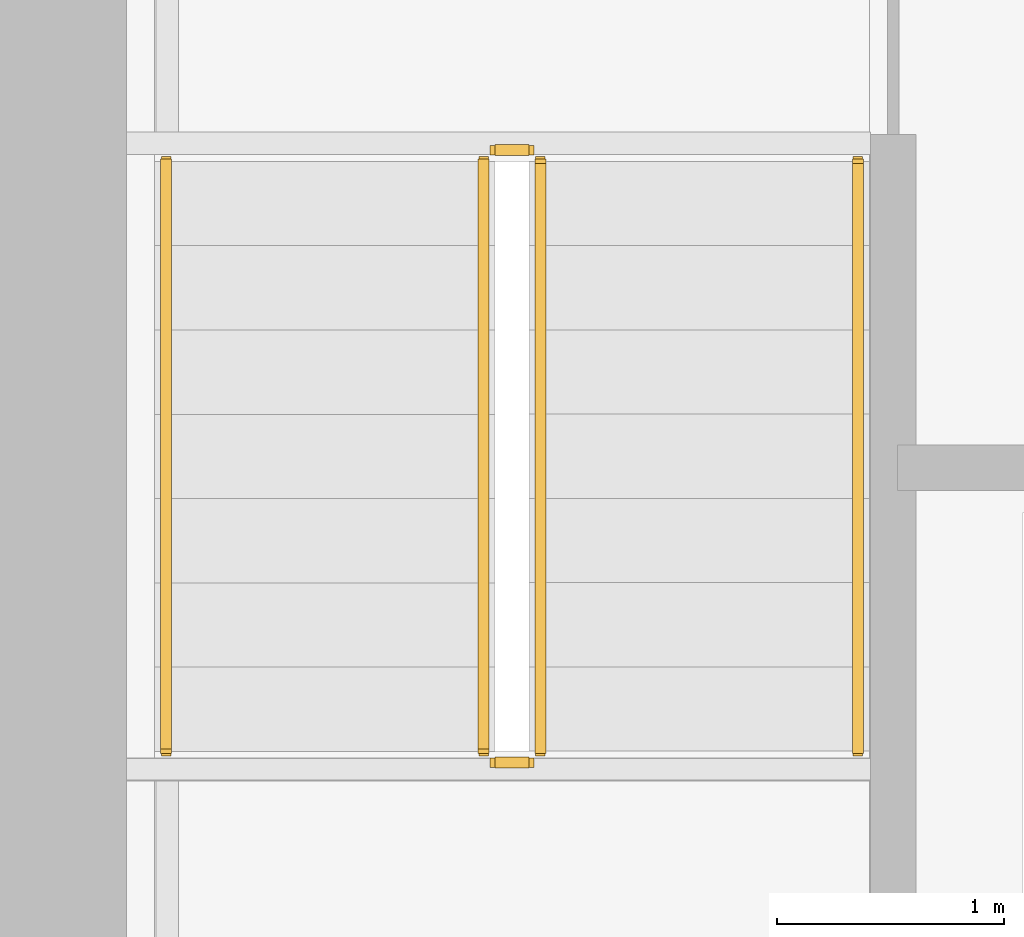
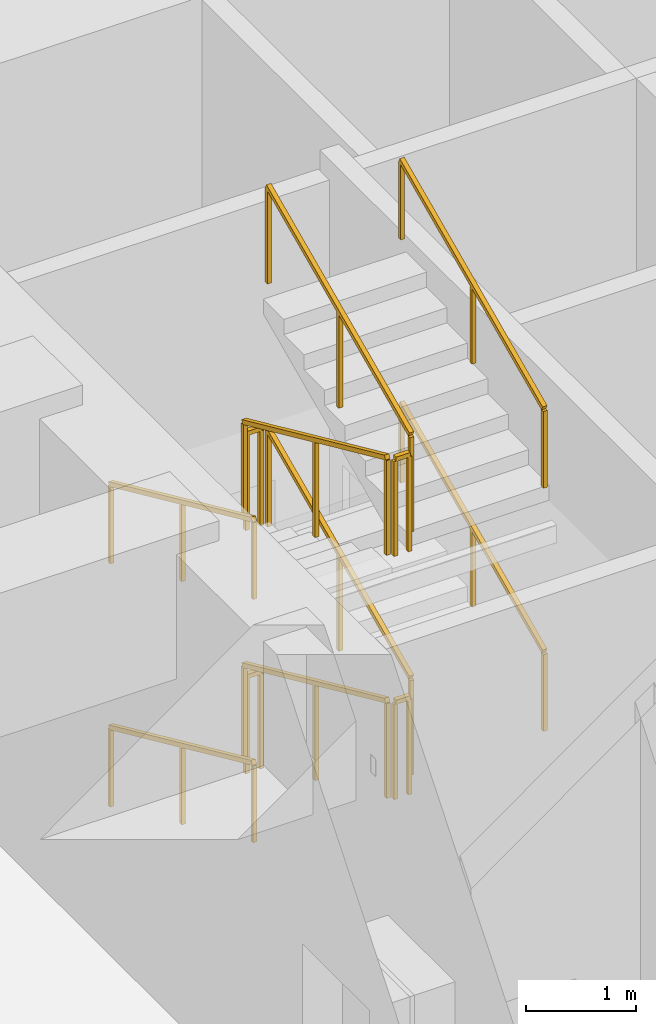
# One storey, part 9 of 12: 12 railings.
"""IFC4 building model written with IfcOpenShell, lengths in metres."""

import ifcopenshell
import ifcopenshell.guid

model = None  # the IFC model being written
_history = None  # IfcOwnerHistory: only IFC2X3 demands one
_inside = {}  # id of a spatial element -> (the spatial element, [elements in it])
_under = {}  # id of a project, library or spatial element -> (it, [spatial elements below it])
_declared = {}  # id of a project -> (the project, [libraries it declares])
_typed = {}  # id of a type object -> (the type object, [elements of that type])
_made_of = {}  # id of a material, layer set ... -> (it, [elements and type objects made of it])


def new_model(schema):
    """Start an empty IFC model of exactly this schema.

    Asked for "IFC4X3", IfcOpenShell would pick the latest addendum, in which some entities
    have other attributes; the version numbers below select the first issue.
    IFC2X3 requires an IfcOwnerHistory on every rooted entity: one is made here for all.
    """
    global model, _history
    if schema == "IFC4X3":
        model = ifcopenshell.file(schema_version=(4, 3, 0, 0))
    else:
        model = ifcopenshell.file(schema=schema)
    _inside.clear()
    _under.clear()
    _declared.clear()
    _typed.clear()
    _made_of.clear()
    _history = None
    if model.schema == "IFC2X3":
        org = make("IfcOrganization", Name="unknown")
        user = make(
            "IfcPersonAndOrganization",
            ThePerson=make("IfcPerson", FamilyName="unknown"),
            TheOrganization=org,
        )
        app = make(
            "IfcApplication",
            ApplicationDeveloper=org,
            Version="unknown",
            ApplicationFullName="unknown",
            ApplicationIdentifier="unknown",
        )
        _history = make(
            "IfcOwnerHistory",
            OwningUser=user,
            OwningApplication=app,
            ChangeAction="ADDED",
            CreationDate=0,
        )
    return model


def make(cls, **values):
    """One entity of the class cls with the attributes given. An attribute that is None is left unset."""
    return model.create_entity(
        cls, **{name: value for name, value in values.items() if value is not None}
    )


def rooted(cls, **values):
    """An entity with a GlobalId (a new one), such as an element, a storey or a relation."""
    return make(cls, GlobalId=ifcopenshell.guid.new(), OwnerHistory=_history, **values)


def si_unit(unit_type, name, prefix=None):
    """IfcSIUnit, for example si_unit("LENGTHUNIT", "METRE", prefix="MILLI")."""
    return make("IfcSIUnit", UnitType=unit_type, Prefix=prefix, Name=name)


def assignment(units):
    """IfcUnitAssignment: the units of a project."""
    return None if units is None else make("IfcUnitAssignment", Units=units)


def point(xyz):
    """IfcCartesianPoint."""
    return None if xyz is None else make("IfcCartesianPoint", Coordinates=xyz)


def direction(xyz):
    """IfcDirection."""
    return None if xyz is None else make("IfcDirection", DirectionRatios=xyz)


def frame(location, z_axis=None, x_axis=None):
    """IfcAxis2Placement3D, a coordinate frame: its origin and axes. An axis left out is left unset."""
    return make(
        "IfcAxis2Placement3D",
        Location=point(location),
        Axis=direction(z_axis),
        RefDirection=direction(x_axis),
    )


def frame_2d(location, x_axis=None):
    """IfcAxis2Placement2D, a coordinate frame in the plane: its origin and x axis."""
    return make(
        "IfcAxis2Placement2D", Location=point(location), RefDirection=direction(x_axis)
    )


def origin():
    """The frame at (0, 0, 0) with its axes left unset."""
    return frame((0.0, 0.0, 0.0))


def origin_2d():
    """The frame at (0, 0) in the plane with its x axis left unset."""
    return frame_2d((0.0, 0.0))


def place(relative_to, where):
    """IfcLocalPlacement: puts the frame where relative to a parent placement (None: the world)."""
    return make(
        "IfcLocalPlacement", PlacementRelTo=relative_to, RelativePlacement=where
    )


def context(
    kind, dimensions, precision=None, world=None, true_north=None, identifier=None
):
    """IfcGeometricRepresentationContext, for example the 3D "Model" context."""
    return make(
        "IfcGeometricRepresentationContext",
        ContextIdentifier=identifier,
        ContextType=kind,
        CoordinateSpaceDimension=dimensions,
        Precision=precision,
        WorldCoordinateSystem=world,
        TrueNorth=true_north,
    )


def subcontext(parent, identifier, kind, view, scale=None):
    """IfcGeometricRepresentationSubContext, for example "Body" below "Model"."""
    return make(
        "IfcGeometricRepresentationSubContext",
        ContextIdentifier=identifier,
        ContextType=kind,
        ParentContext=parent,
        TargetScale=scale,
        TargetView=view,
    )


def project(units=None, contexts=None):
    """IfcProject with its units and contexts."""
    return rooted(
        "IfcProject",
        Name="project",
        RepresentationContexts=contexts,
        UnitsInContext=assignment(units),
    )


def spatial(cls, under=None, at=None, **own):
    """A site, building, storey or space (cls), placed at a placement, below another one or the project."""
    s = rooted(cls, ObjectPlacement=at, **own)
    if under is not None:
        _under.setdefault(under.id(), (under, []))[1].append(s)
    return s


def profile(cls, at=None, kind="AREA", **sizes):
    """A parametric profile (cls). Its sizes go by their IFC names, for example OverallWidth=200.0."""
    return make(cls, ProfileType=kind, Position=at, **sizes)


def rectangle(**sizes):
    """IfcRectangleProfileDef."""
    return profile("IfcRectangleProfileDef", **sizes)


def extrude(swept, where, along, depth):
    """IfcExtrudedAreaSolid: the profile swept, set in the frame where, extruded along a direction by depth."""
    return make(
        "IfcExtrudedAreaSolid",
        SweptArea=swept,
        Position=where,
        ExtrudedDirection=direction(along),
        Depth=depth,
    )


def shape(context_of_items, identifier, shape_type, items):
    """IfcShapeRepresentation: the items that make up one representation, for example the "Body"."""
    return make(
        "IfcShapeRepresentation",
        ContextOfItems=context_of_items,
        RepresentationIdentifier=identifier,
        RepresentationType=shape_type,
        Items=items,
    )


def material(Name=None, Category=None):
    """IfcMaterial."""
    return make("IfcMaterial", Name=Name, Category=Category)


def made_of(thing, what):
    """Note that an element or type object is made of a material, layer set ...; save() writes the relation."""
    if what is not None:
        _made_of.setdefault(what.id(), (what, []))[1].append(thing)
    return thing


def type_object(cls, material=None, **own):
    """A type object (cls), such as IfcWallType, which elements share."""
    return made_of(rooted(cls, **own), material)


def element(
    cls,
    number,
    at=None,
    inside=None,
    cuts=None,
    type_object=None,
    material=None,
    context=None,
    identifier="Body",
    shape_type=None,
    held_by="IfcProductDefinitionShape",
    body=None,
    shapes=None,
    **own,
):
    """One element of the class cls, such as IfcWall. Its Tag is "e" and its number.

    at: its placement. inside: the storey or other place that contains it. cuts: it is an
    opening in that element (IfcRelVoidsElement). A single representation is given by context,
    identifier, shape_type and body (its items); several are given by shapes. held_by: the class
    of the entity that holds the representations. save() writes the other relations.
    """
    e = rooted(cls, Tag="e%d" % number, ObjectPlacement=at, **own)
    if body is not None:
        shapes = [shape(context, identifier, shape_type, body)]
    if shapes is not None:
        e.Representation = make(held_by, Representations=shapes)
    if inside is not None:
        _inside.setdefault(inside.id(), (inside, []))[1].append(e)
    if cuts is not None:
        rooted(
            "IfcRelVoidsElement", RelatingBuildingElement=cuts, RelatedOpeningElement=e
        )
    if type_object is not None:
        _typed.setdefault(type_object.id(), (type_object, []))[1].append(e)
    return made_of(e, material)


def aggregate(whole, parts):
    """IfcRelAggregates: a whole, such as a stair, and the parts it consists of."""
    return rooted("IfcRelAggregates", RelatingObject=whole, RelatedObjects=parts)


def save(model, path):
    """Write the relations noted so far, then the file.

    IfcRelAggregates (storeys below a building ...), IfcRelContainedInSpatialStructure (elements
    in a storey), IfcRelDefinesByType, IfcRelAssociatesMaterial and IfcRelDeclares: one each for
    every whole, place, type object, material and project.
    """
    for whole, parts in _under.values():
        aggregate(whole, parts)
    for where, things in _inside.values():
        rooted(
            "IfcRelContainedInSpatialStructure",
            RelatedElements=things,
            RelatingStructure=where,
        )
    for kind, things in _typed.values():
        rooted("IfcRelDefinesByType", RelatedObjects=things, RelatingType=kind)
    for what, things in _made_of.values():
        rooted("IfcRelAssociatesMaterial", RelatedObjects=things, RelatingMaterial=what)
    for by, libraries in _declared.values():
        rooted("IfcRelDeclares", RelatingContext=by, RelatedDefinitions=libraries)
    model.write(path)


model = new_model("IFC4")

# Units and contexts
model_context = context("Model", 3, precision=1e-05, world=origin(), true_north=direction((0.0, 1.0)))
body_context = subcontext(model_context, "Body", "Model", "MODEL_VIEW")
ifc_project = project(units=[si_unit("LENGTHUNIT", "METRE"), si_unit("AREAUNIT", "SQUARE_METRE"), si_unit("VOLUMEUNIT", "CUBIC_METRE"), si_unit("PLANEANGLEUNIT", "RADIAN"), si_unit("MASSUNIT", "GRAM", prefix="KILO")], contexts=[model_context])

# Site, building, storey
site_placement = place(None, origin())
site = spatial("IfcSite", under=ifc_project, at=site_placement, CompositionType="ELEMENT")
building_placement = place(site_placement, origin())
building = spatial("IfcBuilding", under=site, at=building_placement, Name="Cinnabar Lancet Tower", CompositionType="ELEMENT")
storey_placement = place(building_placement, frame((0.0, 0.0, 19.5)))
storey = spatial("IfcBuildingStorey", under=building, at=storey_placement, Name="L04", CompositionType="ELEMENT", Elevation=19.5)

# Railings
ifc_material_1 = material(Name="Painted galvanized steel balustrade", Category="steel")
railing_type_1 = type_object("IfcRailingType", Name="GUARD-STAIR", PredefinedType="GUARDRAIL", material=ifc_material_1)
railing_1_placement = place(storey_placement, frame((24.97509765625, 28.39990234375, 0.168701171875)))
element("IfcRailing", 1, at=railing_1_placement, inside=storey, type_object=railing_type_1, Name="L04 ST-1 stair guard 1", PredefinedType="GUARDRAIL", context=body_context, shape_type="SweptSolid", body=[
    extrude(rectangle(XDim=0.048095703125, YDim=0.048095703125, at=origin_2d()), frame((0.0, 0.0, 1.076171875), z_axis=(0.0, -0.910398683421, 0.413732083872), x_axis=(1.0, 0.0, 0.0)), (0.0, 0.0, 1.0), 2.85546875),
    extrude(rectangle(XDim=0.0419921875, YDim=0.0419921875, at=origin_2d()), origin(), (0.0, 0.0, 1.0), 1.052001953125),
    extrude(rectangle(XDim=0.0419921875, YDim=0.0419921875, at=origin_2d()), frame((0.0, -1.2998046875, 0.5908203125)), (0.0, 0.0, 1.0), 1.052001953125),
    extrude(rectangle(XDim=0.0419921875, YDim=0.0419921875, at=origin_2d()), frame((0.0, -2.599609375, 1.181396484375)), (0.0, 0.0, 1.0), 1.052001953125),
])
railing_2_placement = place(storey_placement, frame((25.02490234375, 25.750244140625, 1.35009765625)))
element("IfcRailing", 2, at=railing_2_placement, inside=storey, type_object=railing_type_1, Name="L04 ST-1 stair guard 2", PredefinedType="GUARDRAIL", context=body_context, shape_type="SweptSolid", body=[
    extrude(rectangle(XDim=0.048095703125, YDim=0.048095703125, at=origin_2d()), frame((0.0, 0.0, 1.076171875), z_axis=(1.0, 0.0, 0.0), x_axis=(0.0, 1.0, 0.0)), (0.0, 0.0, 1.0), 0.150146484375),
    extrude(rectangle(XDim=0.0419921875, YDim=0.0419921875, at=origin_2d()), origin(), (0.0, 0.0, 1.0), 1.052001953125),
    extrude(rectangle(XDim=0.0419921875, YDim=0.0419921875, at=origin_2d()), frame((0.150146484375, 0.0, 0.0)), (0.0, 0.0, 1.0), 1.052001953125),
])
railing_3_placement = place(storey_placement, frame((25.22509765625, 25.80029296875, 1.518798828125)))
element("IfcRailing", 3, at=railing_3_placement, inside=storey, type_object=railing_type_1, Name="L04 ST-1 stair guard 3", PredefinedType="GUARDRAIL", context=body_context, shape_type="SweptSolid", body=[
    extrude(rectangle(XDim=0.048095703125, YDim=0.048095703125, at=origin_2d()), frame((0.0, 0.0, 1.076171875), z_axis=(0.0, 0.910430886142, 0.413661215923), x_axis=(-1.0, 0.0, 0.0)), (0.0, 0.0, 1.0), 2.85546875),
    extrude(rectangle(XDim=0.0419921875, YDim=0.0419921875, at=origin_2d()), origin(), (0.0, 0.0, 1.0), 1.052001953125),
    extrude(rectangle(XDim=0.0419921875, YDim=0.0419921875, at=origin_2d()), frame((0.0, 1.2998046875, 0.590576171875)), (0.0, 0.0, 1.0), 1.052001953125),
    extrude(rectangle(XDim=0.0419921875, YDim=0.0419921875, at=origin_2d()), frame((0.0, 2.599609375, 1.18115234375)), (0.0, 0.0, 1.0), 1.052001953125),
])
railing_4_placement = place(storey_placement, frame((25.02490234375, 28.449951171875, 2.699951171875)))
element("IfcRailing", 4, at=railing_4_placement, inside=storey, type_object=railing_type_1, Name="L04 ST-1 stair guard 4", PredefinedType="GUARDRAIL", context=body_context, shape_type="SweptSolid", body=[
    extrude(rectangle(XDim=0.048095703125, YDim=0.048095703125, at=origin_2d()), frame((0.0, 0.0, 1.076171875), z_axis=(1.0, 0.0, 0.0), x_axis=(0.0, 1.0, 0.0)), (0.0, 0.0, 1.0), 0.150146484375),
    extrude(rectangle(XDim=0.0419921875, YDim=0.0419921875, at=origin_2d()), origin(), (0.0, 0.0, 1.0), 1.052001953125),
    extrude(rectangle(XDim=0.0419921875, YDim=0.0419921875, at=origin_2d()), frame((0.150146484375, 0.0, 0.0)), (0.0, 0.0, 1.0), 1.052001953125),
])
railing_5_placement = place(storey_placement, frame((24.97509765625, 28.39990234375, 2.86865234375)))
element("IfcRailing", 5, at=railing_5_placement, inside=storey, type_object=railing_type_1, Name="L04 ST-1 stair guard 5", PredefinedType="GUARDRAIL", context=body_context, shape_type="SweptSolid", body=[
    extrude(rectangle(XDim=0.048095703125, YDim=0.048095703125, at=origin_2d()), frame((0.0, 0.0, 1.076171875), z_axis=(0.0, -0.910398683421, 0.413732083872), x_axis=(1.0, 0.0, 0.0)), (0.0, 0.0, 1.0), 2.85546875),
    extrude(rectangle(XDim=0.0419921875, YDim=0.0419921875, at=origin_2d()), origin(), (0.0, 0.0, 1.0), 1.052001953125),
    extrude(rectangle(XDim=0.0419921875, YDim=0.0419921875, at=origin_2d()), frame((0.0, -1.2998046875, 0.5908203125)), (0.0, 0.0, 1.0), 1.052001953125),
    extrude(rectangle(XDim=0.0419921875, YDim=0.0419921875, at=origin_2d()), frame((0.0, -2.599609375, 1.181396484375)), (0.0, 0.0, 1.0), 1.052001953125),
])
railing_6_placement = place(storey_placement, frame((25.02490234375, 25.750244140625, 4.050048828125)))
element("IfcRailing", 6, at=railing_6_placement, inside=storey, type_object=railing_type_1, Name="L04 ST-1 stair guard 6", PredefinedType="GUARDRAIL", context=body_context, shape_type="SweptSolid", body=[
    extrude(rectangle(XDim=0.048095703125, YDim=0.048095703125, at=origin_2d()), frame((0.0, 0.0, 1.076171875), z_axis=(1.0, 0.0, 0.0), x_axis=(0.0, 1.0, 0.0)), (0.0, 0.0, 1.0), 0.150146484375),
    extrude(rectangle(XDim=0.0419921875, YDim=0.0419921875, at=origin_2d()), origin(), (0.0, 0.0, 1.0), 1.052001953125),
    extrude(rectangle(XDim=0.0419921875, YDim=0.0419921875, at=origin_2d()), frame((0.150146484375, 0.0, 0.0)), (0.0, 0.0, 1.0), 1.052001953125),
])
railing_7_placement = place(storey_placement, frame((25.22509765625, 25.80029296875, 4.21875)))
element("IfcRailing", 7, at=railing_7_placement, inside=storey, type_object=railing_type_1, Name="L04 ST-1 stair guard 7", PredefinedType="GUARDRAIL", context=body_context, shape_type="SweptSolid", body=[
    extrude(rectangle(XDim=0.048095703125, YDim=0.048095703125, at=origin_2d()), frame((0.0, 0.0, 1.076171875), z_axis=(0.0, 0.910430886142, 0.413661215923), x_axis=(-1.0, 0.0, 0.0)), (0.0, 0.0, 1.0), 2.85546875),
    extrude(rectangle(XDim=0.0419921875, YDim=0.0419921875, at=origin_2d()), origin(), (0.0, 0.0, 1.0), 1.052001953125),
    extrude(rectangle(XDim=0.0419921875, YDim=0.0419921875, at=origin_2d()), frame((0.0, 1.2998046875, 0.590576171875)), (0.0, 0.0, 1.0), 1.052001953125),
    extrude(rectangle(XDim=0.0419921875, YDim=0.0419921875, at=origin_2d()), frame((0.0, 2.599609375, 1.18115234375)), (0.0, 0.0, 1.0), 1.052001953125),
])
railing_8_placement = place(storey_placement, frame((25.02490234375, 28.449951171875, 0.0)))
element("IfcRailing", 8, at=railing_8_placement, inside=storey, type_object=railing_type_1, Name="L04 ST-1 stair guard 8", PredefinedType="GUARDRAIL", context=body_context, shape_type="SweptSolid", body=[
    extrude(rectangle(XDim=0.048095703125, YDim=0.048095703125, at=origin_2d()), frame((0.0, 0.0, 1.076171875), z_axis=(1.0, 0.0, 0.0), x_axis=(0.0, 1.0, 0.0)), (0.0, 0.0, 1.0), 0.150146484375),
    extrude(rectangle(XDim=0.0419921875, YDim=0.0419921875, at=origin_2d()), origin(), (0.0, 0.0, 1.0), 1.052001953125),
    extrude(rectangle(XDim=0.0419921875, YDim=0.0419921875, at=origin_2d()), frame((0.150146484375, 0.0, 0.0)), (0.0, 0.0, 1.0), 1.052001953125),
])
ifc_material_2 = material(Name="Brushed stainless steel handrail", Category="steel")
railing_type_2 = type_object("IfcRailingType", Name="HANDRAIL-STAIR", PredefinedType="HANDRAIL", material=ifc_material_2)
railing_9_placement = place(storey_placement, frame((23.574951171875, 28.39990234375, 0.168701171875)))
element("IfcRailing", 9, at=railing_9_placement, inside=storey, type_object=railing_type_2, Name="L04 ST-1 stair handrail 1", PredefinedType="HANDRAIL", context=body_context, shape_type="SweptSolid", body=[
    extrude(rectangle(XDim=0.048095703125, YDim=0.048095703125, at=origin_2d()), frame((0.0, 0.0, 0.8759765625), z_axis=(0.0, -0.910398683421, 0.413732083872), x_axis=(1.0, 0.0, 0.0)), (0.0, 0.0, 1.0), 2.85546875),
    extrude(rectangle(XDim=0.0419921875, YDim=0.0419921875, at=origin_2d()), origin(), (0.0, 0.0, 1.0), 0.851806640625),
    extrude(rectangle(XDim=0.0419921875, YDim=0.0419921875, at=origin_2d()), frame((0.0, -1.2998046875, 0.5908203125)), (0.0, 0.0, 1.0), 0.851806640625),
    extrude(rectangle(XDim=0.0419921875, YDim=0.0419921875, at=origin_2d()), frame((0.0, -2.599609375, 1.181396484375)), (0.0, 0.0, 1.0), 0.851806640625),
])
railing_10_placement = place(storey_placement, frame((26.625, 25.80029296875, 1.518798828125)))
element("IfcRailing", 10, at=railing_10_placement, inside=storey, type_object=railing_type_2, Name="L04 ST-1 stair handrail 2", PredefinedType="HANDRAIL", context=body_context, shape_type="SweptSolid", body=[
    extrude(rectangle(XDim=0.048095703125, YDim=0.048095703125, at=origin_2d()), frame((0.0, 0.0, 0.8759765625), z_axis=(0.0, 0.910430886142, 0.413661215923), x_axis=(-1.0, 0.0, 0.0)), (0.0, 0.0, 1.0), 2.85546875),
    extrude(rectangle(XDim=0.0419921875, YDim=0.0419921875, at=origin_2d()), origin(), (0.0, 0.0, 1.0), 0.851806640625),
    extrude(rectangle(XDim=0.0419921875, YDim=0.0419921875, at=origin_2d()), frame((0.0, 1.2998046875, 0.590576171875)), (0.0, 0.0, 1.0), 0.851806640625),
    extrude(rectangle(XDim=0.0419921875, YDim=0.0419921875, at=origin_2d()), frame((0.0, 2.599609375, 1.18115234375)), (0.0, 0.0, 1.0), 0.851806640625),
])
railing_11_placement = place(storey_placement, frame((23.574951171875, 28.39990234375, 2.86865234375)))
element("IfcRailing", 11, at=railing_11_placement, inside=storey, type_object=railing_type_2, Name="L04 ST-1 stair handrail 3", PredefinedType="HANDRAIL", context=body_context, shape_type="SweptSolid", body=[
    extrude(rectangle(XDim=0.048095703125, YDim=0.048095703125, at=origin_2d()), frame((0.0, 0.0, 0.8759765625), z_axis=(0.0, -0.910398683421, 0.413732083872), x_axis=(1.0, 0.0, 0.0)), (0.0, 0.0, 1.0), 2.85546875),
    extrude(rectangle(XDim=0.0419921875, YDim=0.0419921875, at=origin_2d()), origin(), (0.0, 0.0, 1.0), 0.851806640625),
    extrude(rectangle(XDim=0.0419921875, YDim=0.0419921875, at=origin_2d()), frame((0.0, -1.2998046875, 0.5908203125)), (0.0, 0.0, 1.0), 0.851806640625),
    extrude(rectangle(XDim=0.0419921875, YDim=0.0419921875, at=origin_2d()), frame((0.0, -2.599609375, 1.181396484375)), (0.0, 0.0, 1.0), 0.851806640625),
])
railing_12_placement = place(storey_placement, frame((26.625, 25.80029296875, 4.21875)))
element("IfcRailing", 12, at=railing_12_placement, inside=storey, type_object=railing_type_2, Name="L04 ST-1 stair handrail 4", PredefinedType="HANDRAIL", context=body_context, shape_type="SweptSolid", body=[
    extrude(rectangle(XDim=0.048095703125, YDim=0.048095703125, at=origin_2d()), frame((0.0, 0.0, 0.8759765625), z_axis=(0.0, 0.910430886142, 0.413661215923), x_axis=(-1.0, 0.0, 0.0)), (0.0, 0.0, 1.0), 2.85546875),
    extrude(rectangle(XDim=0.0419921875, YDim=0.0419921875, at=origin_2d()), origin(), (0.0, 0.0, 1.0), 0.851806640625),
    extrude(rectangle(XDim=0.0419921875, YDim=0.0419921875, at=origin_2d()), frame((0.0, 1.2998046875, 0.590576171875)), (0.0, 0.0, 1.0), 0.851806640625),
    extrude(rectangle(XDim=0.0419921875, YDim=0.0419921875, at=origin_2d()), frame((0.0, 2.599609375, 1.18115234375)), (0.0, 0.0, 1.0), 0.851806640625),
])

save(model, "model.ifc")
